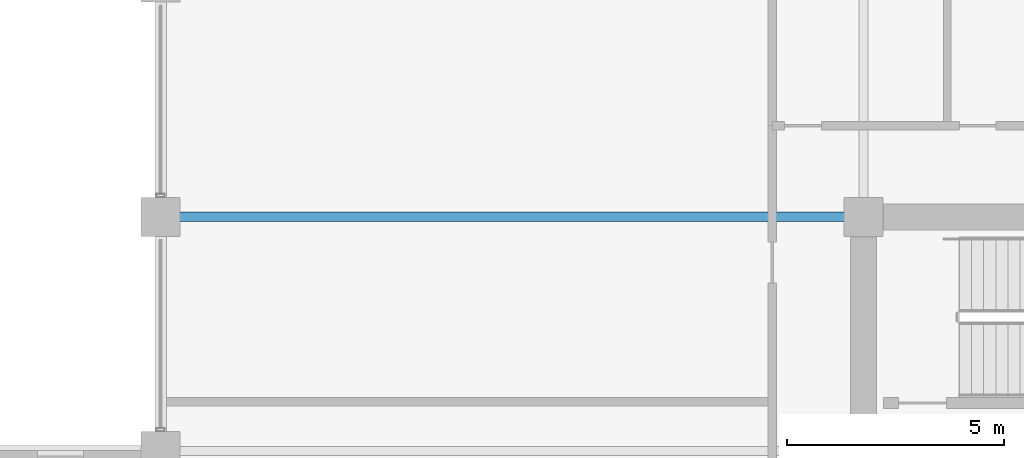
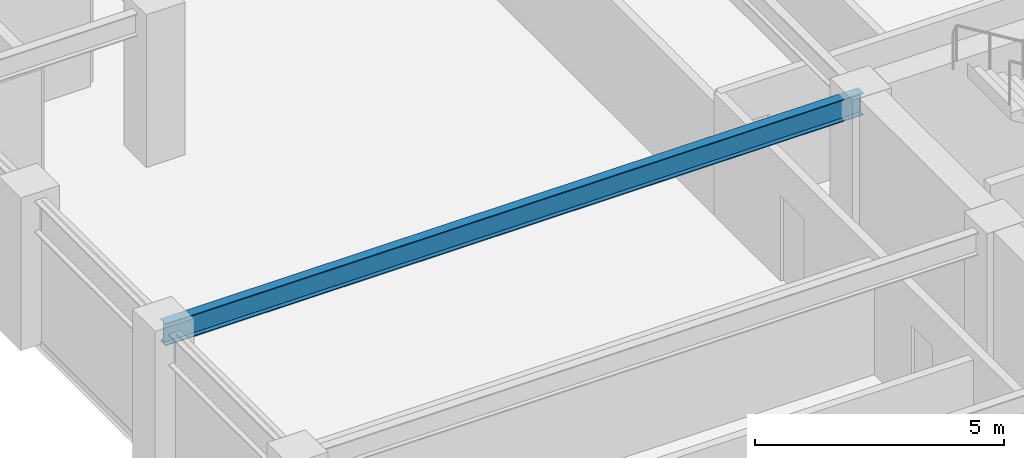
# One storey, part 14 of 28: 1 beam.
"""IFC4 building model written with IfcOpenShell, lengths in metres."""

from ifc_helpers import new_model, si_unit, direction, frame, origin, origin_2d, place, context, subcontext, project, spatial, i_section, extrude, material, material_profile, profile_set, type_object, element, save


model = new_model("IFC4")

# Units and contexts
model_context = context("Model", 3, precision=1e-05, world=origin(), true_north=direction((0.0, 1.0)))
body_context = subcontext(model_context, "Body", "Model", "MODEL_VIEW")
ifc_project = project(units=[si_unit("LENGTHUNIT", "METRE"), si_unit("AREAUNIT", "SQUARE_METRE"), si_unit("VOLUMEUNIT", "CUBIC_METRE"), si_unit("PLANEANGLEUNIT", "RADIAN"), si_unit("MASSUNIT", "GRAM", prefix="KILO")], contexts=[model_context])

# Site, building, storey
site_placement = place(None, origin())
site = spatial("IfcSite", under=ifc_project, at=site_placement, CompositionType="ELEMENT")
building_placement = place(site_placement, origin())
building = spatial("IfcBuilding", under=site, at=building_placement, Name="Surkhivell Harbour Commons", CompositionType="ELEMENT")
storey_placement = place(building_placement, frame((0.0, 0.0, 174.75)))
storey = spatial("IfcBuildingStorey", under=building, at=storey_placement, Name="L45", CompositionType="ELEMENT", Elevation=174.75)

# Beam
ifc_material = material(Name="Steel S355", Category="steel")
ifc_material_profile = material_profile(ifc_material, i_section(OverallWidth=0.2119140625, OverallDepth=0.5439453125, WebThickness=0.0126953125, FlangeThickness=0.021240234375, at=origin_2d()), Name="UB533x210x122")
ifc_profile_set = profile_set([ifc_material_profile], Name="Steel S355")
beam_type = type_object("IfcBeamType", Name="BM-GRD-533A", PredefinedType="BEAM", material=ifc_profile_set)
beam_placement = place(storey_placement, frame((-27.0, 10.800048828125, 3.298095703125), z_axis=(1.0, 0.0, 0.0), x_axis=(0.0, 1.0, 0.0)))
element("IfcBeam", 1, at=beam_placement, inside=storey, type_object=beam_type, Name="L45 Floor Girder (-27.0,10.8)", PredefinedType="BEAM", context=body_context, shape_type="SweptSolid", body=[
    extrude(i_section(OverallWidth=0.2119140625, OverallDepth=0.5439453125, WebThickness=0.0126953125, FlangeThickness=0.021240234375, at=origin_2d()), origin(), (0.0, 0.0, 1.0), 16.199951171875),
])

save(model, "model.ifc")
